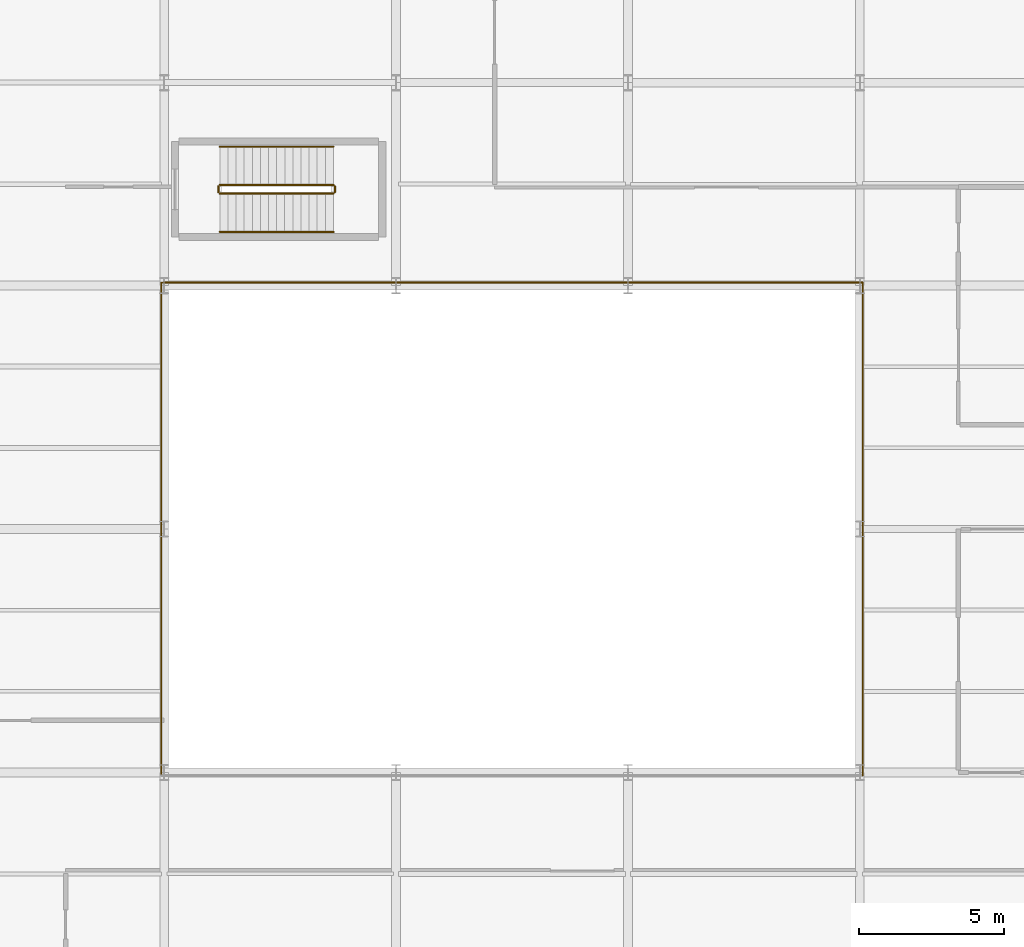
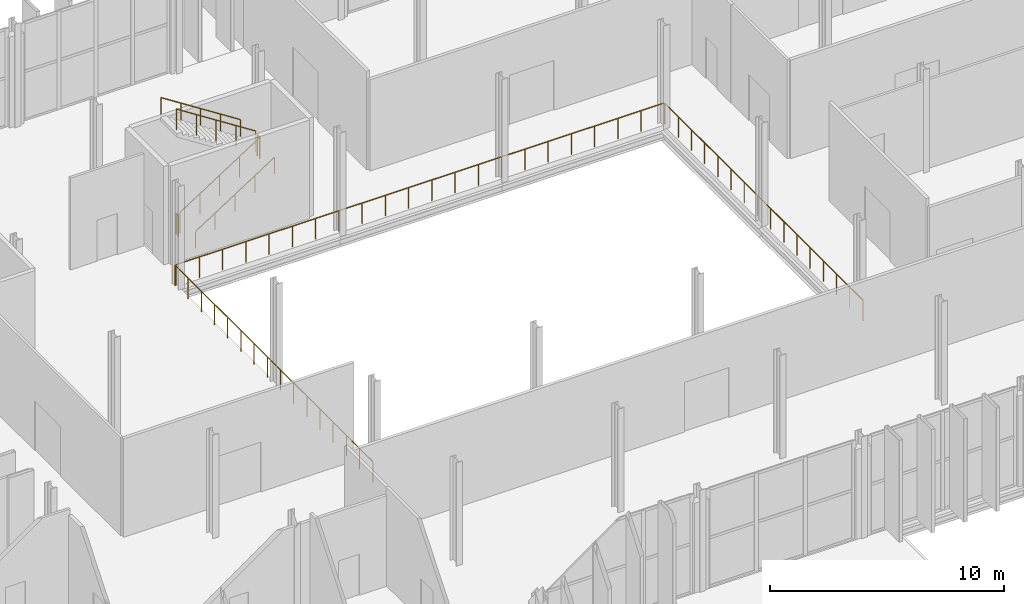
# One storey, part 140 of 147: 9 railings.
"""IFC4 building model written with IfcOpenShell, lengths in metres."""

from ifc_helpers import new_model, si_unit, direction, frame, origin, origin_2d, place, context, subcontext, project, spatial, circle, extrude, material, type_object, element, save


model = new_model("IFC4")

# Units and contexts
model_context = context("Model", 3, precision=1e-05, world=origin(), true_north=direction((0.0, 1.0)))
body_context = subcontext(model_context, "Body", "Model", "MODEL_VIEW")
ifc_project = project(units=[si_unit("LENGTHUNIT", "METRE"), si_unit("AREAUNIT", "SQUARE_METRE"), si_unit("VOLUMEUNIT", "CUBIC_METRE"), si_unit("PLANEANGLEUNIT", "RADIAN"), si_unit("MASSUNIT", "GRAM", prefix="KILO")], contexts=[model_context])

# Site, building, storey
site_placement = place(None, origin())
site = spatial("IfcSite", under=ifc_project, at=site_placement, CompositionType="ELEMENT")
building_placement = place(site_placement, origin())
building = spatial("IfcBuilding", under=site, at=building_placement, Name="Vekula Escarpment Museum", CompositionType="ELEMENT")
storey_placement = place(building_placement, frame((0.0, 0.0, 7.800048828125)))
storey = spatial("IfcBuildingStorey", under=building, at=storey_placement, Name="L02", CompositionType="ELEMENT", Elevation=7.800048828125)

# Railings
ifc_material_1 = material(Name="Bronze-coated Steel S355 balustrade", Category="steel")
railing_type_1 = type_object("IfcRailingType", Name="RL-ATR-BAL", PredefinedType="BALUSTRADE", material=ifc_material_1)
railing_1_placement = place(storey_placement, frame((110.10009765625, 59.5, 0.0)))
element("IfcRailing", 1, at=railing_1_placement, inside=storey, type_object=railing_type_1, Name="Central Atrium Balustrade L02 E", PredefinedType="BALUSTRADE", context=body_context, shape_type="SweptSolid", body=[
    extrude(circle(Radius=0.02392578125, at=origin_2d()), frame((0.0, 0.0, 1.076171875), z_axis=(0.0, 1.0, 0.0), x_axis=(-1.0, 0.0, 0.0)), (0.0, 0.0, 1.0), 16.93994140625),
    extrude(circle(Radius=0.02099609375, at=origin_2d()), origin(), (0.0, 0.0, 1.0), 1.052001953125),
    extrude(circle(Radius=0.02099609375, at=origin_2d()), frame((0.0, 1.12939453125, 0.0)), (0.0, 0.0, 1.0), 1.052001953125),
    extrude(circle(Radius=0.02099609375, at=origin_2d()), frame((0.0, 2.258544921875, 0.0)), (0.0, 0.0, 1.0), 1.052001953125),
    extrude(circle(Radius=0.02099609375, at=origin_2d()), frame((0.0, 3.387939453125, 0.0)), (0.0, 0.0, 1.0), 1.052001953125),
    extrude(circle(Radius=0.02099609375, at=origin_2d()), frame((0.0, 4.517333984375, 0.0)), (0.0, 0.0, 1.0), 1.052001953125),
    extrude(circle(Radius=0.02099609375, at=origin_2d()), frame((0.0, 5.646728515625, 0.0)), (0.0, 0.0, 1.0), 1.052001953125),
    extrude(circle(Radius=0.02099609375, at=origin_2d()), frame((0.0, 6.77587890625, 0.0)), (0.0, 0.0, 1.0), 1.052001953125),
    extrude(circle(Radius=0.02099609375, at=origin_2d()), frame((0.0, 7.9052734375, 0.0)), (0.0, 0.0, 1.0), 1.052001953125),
    extrude(circle(Radius=0.02099609375, at=origin_2d()), frame((0.0, 9.03466796875, 0.0)), (0.0, 0.0, 1.0), 1.052001953125),
    extrude(circle(Radius=0.02099609375, at=origin_2d()), frame((0.0, 10.1640625, 0.0)), (0.0, 0.0, 1.0), 1.052001953125),
    extrude(circle(Radius=0.02099609375, at=origin_2d()), frame((0.0, 11.293212890625, 0.0)), (0.0, 0.0, 1.0), 1.052001953125),
    extrude(circle(Radius=0.02099609375, at=origin_2d()), frame((0.0, 12.422607421875, 0.0)), (0.0, 0.0, 1.0), 1.052001953125),
    extrude(circle(Radius=0.02099609375, at=origin_2d()), frame((0.0, 13.552001953125, 0.0)), (0.0, 0.0, 1.0), 1.052001953125),
    extrude(circle(Radius=0.02099609375, at=origin_2d()), frame((0.0, 14.681396484375, 0.0)), (0.0, 0.0, 1.0), 1.052001953125),
    extrude(circle(Radius=0.02099609375, at=origin_2d()), frame((0.0, 15.810546875, 0.0)), (0.0, 0.0, 1.0), 1.052001953125),
    extrude(circle(Radius=0.02099609375, at=origin_2d()), frame((0.0, 16.93994140625, 0.0)), (0.0, 0.0, 1.0), 1.052001953125),
])
railing_2_placement = place(storey_placement, frame((110.10009765625, 76.5, 0.0)))
element("IfcRailing", 2, at=railing_2_placement, inside=storey, type_object=railing_type_1, Name="Central Atrium Balustrade L02 N", PredefinedType="BALUSTRADE", context=body_context, shape_type="SweptSolid", body=[
    extrude(circle(Radius=0.02392578125, at=origin_2d()), frame((0.0, 0.0, 1.076171875), z_axis=(-1.0, 0.0, 0.0), x_axis=(0.0, -1.0, 0.0)), (0.0, 0.0, 1.0), 24.14013671875),
    extrude(circle(Radius=0.02099609375, at=origin_2d()), origin(), (0.0, 0.0, 1.0), 1.052001953125),
    extrude(circle(Radius=0.02099609375, at=origin_2d()), frame((-1.1494140625, 0.0, 0.0)), (0.0, 0.0, 1.0), 1.052001953125),
    extrude(circle(Radius=0.02099609375, at=origin_2d()), frame((-2.299072265625, 0.0, 0.0)), (0.0, 0.0, 1.0), 1.052001953125),
    extrude(circle(Radius=0.02099609375, at=origin_2d()), frame((-3.448486328125, 0.0, 0.0)), (0.0, 0.0, 1.0), 1.052001953125),
    extrude(circle(Radius=0.02099609375, at=origin_2d()), frame((-4.59814453125, 0.0, 0.0)), (0.0, 0.0, 1.0), 1.052001953125),
    extrude(circle(Radius=0.02099609375, at=origin_2d()), frame((-5.74755859375, 0.0, 0.0)), (0.0, 0.0, 1.0), 1.052001953125),
    extrude(circle(Radius=0.02099609375, at=origin_2d()), frame((-6.897216796875, 0.0, 0.0)), (0.0, 0.0, 1.0), 1.052001953125),
    extrude(circle(Radius=0.02099609375, at=origin_2d()), frame((-8.046630859375, 0.0, 0.0)), (0.0, 0.0, 1.0), 1.052001953125),
    extrude(circle(Radius=0.02099609375, at=origin_2d()), frame((-9.1962890625, 0.0, 0.0)), (0.0, 0.0, 1.0), 1.052001953125),
    extrude(circle(Radius=0.02099609375, at=origin_2d()), frame((-10.345703125, 0.0, 0.0)), (0.0, 0.0, 1.0), 1.052001953125),
    extrude(circle(Radius=0.02099609375, at=origin_2d()), frame((-11.495361328125, 0.0, 0.0)), (0.0, 0.0, 1.0), 1.052001953125),
    extrude(circle(Radius=0.02099609375, at=origin_2d()), frame((-12.644775390625, 0.0, 0.0)), (0.0, 0.0, 1.0), 1.052001953125),
    extrude(circle(Radius=0.02099609375, at=origin_2d()), frame((-13.79443359375, 0.0, 0.0)), (0.0, 0.0, 1.0), 1.052001953125),
    extrude(circle(Radius=0.02099609375, at=origin_2d()), frame((-14.94384765625, 0.0, 0.0)), (0.0, 0.0, 1.0), 1.052001953125),
    extrude(circle(Radius=0.02099609375, at=origin_2d()), frame((-16.093505859375, 0.0, 0.0)), (0.0, 0.0, 1.0), 1.052001953125),
    extrude(circle(Radius=0.02099609375, at=origin_2d()), frame((-17.242919921875, 0.0, 0.0)), (0.0, 0.0, 1.0), 1.052001953125),
    extrude(circle(Radius=0.02099609375, at=origin_2d()), frame((-18.392578125, 0.0, 0.0)), (0.0, 0.0, 1.0), 1.052001953125),
    extrude(circle(Radius=0.02099609375, at=origin_2d()), frame((-19.5419921875, 0.0, 0.0)), (0.0, 0.0, 1.0), 1.052001953125),
    extrude(circle(Radius=0.02099609375, at=origin_2d()), frame((-20.691650390625, 0.0, 0.0)), (0.0, 0.0, 1.0), 1.052001953125),
    extrude(circle(Radius=0.02099609375, at=origin_2d()), frame((-21.841064453125, 0.0, 0.0)), (0.0, 0.0, 1.0), 1.052001953125),
    extrude(circle(Radius=0.02099609375, at=origin_2d()), frame((-22.99072265625, 0.0, 0.0)), (0.0, 0.0, 1.0), 1.052001953125),
    extrude(circle(Radius=0.02099609375, at=origin_2d()), frame((-24.14013671875, 0.0, 0.0)), (0.0, 0.0, 1.0), 1.052001953125),
])
railing_3_placement = place(storey_placement, frame((85.89990234375, 76.5, 0.0)))
element("IfcRailing", 3, at=railing_3_placement, inside=storey, type_object=railing_type_1, Name="Central Atrium Balustrade L02 W", PredefinedType="BALUSTRADE", context=body_context, shape_type="SweptSolid", body=[
    extrude(circle(Radius=0.02392578125, at=origin_2d()), frame((0.0, 0.0, 1.076171875), z_axis=(0.0, -1.0, 0.0), x_axis=(1.0, 0.0, 0.0)), (0.0, 0.0, 1.0), 16.93994140625),
    extrude(circle(Radius=0.02099609375, at=origin_2d()), origin(), (0.0, 0.0, 1.0), 1.052001953125),
    extrude(circle(Radius=0.02099609375, at=origin_2d()), frame((0.0, -1.12939453125, 0.0)), (0.0, 0.0, 1.0), 1.052001953125),
    extrude(circle(Radius=0.02099609375, at=origin_2d()), frame((0.0, -2.258544921875, 0.0)), (0.0, 0.0, 1.0), 1.052001953125),
    extrude(circle(Radius=0.02099609375, at=origin_2d()), frame((0.0, -3.387939453125, 0.0)), (0.0, 0.0, 1.0), 1.052001953125),
    extrude(circle(Radius=0.02099609375, at=origin_2d()), frame((0.0, -4.517333984375, 0.0)), (0.0, 0.0, 1.0), 1.052001953125),
    extrude(circle(Radius=0.02099609375, at=origin_2d()), frame((0.0, -5.646728515625, 0.0)), (0.0, 0.0, 1.0), 1.052001953125),
    extrude(circle(Radius=0.02099609375, at=origin_2d()), frame((0.0, -6.77587890625, 0.0)), (0.0, 0.0, 1.0), 1.052001953125),
    extrude(circle(Radius=0.02099609375, at=origin_2d()), frame((0.0, -7.9052734375, 0.0)), (0.0, 0.0, 1.0), 1.052001953125),
    extrude(circle(Radius=0.02099609375, at=origin_2d()), frame((0.0, -9.03466796875, 0.0)), (0.0, 0.0, 1.0), 1.052001953125),
    extrude(circle(Radius=0.02099609375, at=origin_2d()), frame((0.0, -10.1640625, 0.0)), (0.0, 0.0, 1.0), 1.052001953125),
    extrude(circle(Radius=0.02099609375, at=origin_2d()), frame((0.0, -11.293212890625, 0.0)), (0.0, 0.0, 1.0), 1.052001953125),
    extrude(circle(Radius=0.02099609375, at=origin_2d()), frame((0.0, -12.422607421875, 0.0)), (0.0, 0.0, 1.0), 1.052001953125),
    extrude(circle(Radius=0.02099609375, at=origin_2d()), frame((0.0, -13.552001953125, 0.0)), (0.0, 0.0, 1.0), 1.052001953125),
    extrude(circle(Radius=0.02099609375, at=origin_2d()), frame((0.0, -14.681396484375, 0.0)), (0.0, 0.0, 1.0), 1.052001953125),
    extrude(circle(Radius=0.02099609375, at=origin_2d()), frame((0.0, -15.810546875, 0.0)), (0.0, 0.0, 1.0), 1.052001953125),
    extrude(circle(Radius=0.02099609375, at=origin_2d()), frame((0.0, -16.93994140625, 0.0)), (0.0, 0.0, 1.0), 1.052001953125),
])
ifc_material_2 = material(Name="Painted Steel S355 stair guard", Category="steel")
railing_type_2 = type_object("IfcRailingType", Name="RL-STAIR-GUARD", PredefinedType="GUARDRAIL", material=ifc_material_2)
railing_4_placement = place(storey_placement, frame((87.919921875, 79.570068359375, 0.179931640625)))
element("IfcRailing", 4, at=railing_4_placement, inside=storey, type_object=railing_type_2, Name="L02 ST-09 stair guard 1", PredefinedType="GUARDRAIL", context=body_context, shape_type="SweptSolid", body=[
    extrude(circle(Radius=0.02392578125, at=origin_2d()), frame((0.0, 0.0, 1.076171875), z_axis=(0.841186985886, 0.0, 0.540744352514), x_axis=(0.0, 1.0, 0.0)), (0.0, 0.0, 1.0), 4.660400390625),
    extrude(circle(Radius=0.02099609375, at=origin_2d()), origin(), (0.0, 0.0, 1.0), 1.052001953125),
    extrude(circle(Radius=0.02099609375, at=origin_2d()), frame((0.97998046875, 0.0, 0.6298828125)), (0.0, 0.0, 1.0), 1.052001953125),
    extrude(circle(Radius=0.02099609375, at=origin_2d()), frame((1.9599609375, 0.0, 1.260009765625)), (0.0, 0.0, 1.0), 1.052001953125),
    extrude(circle(Radius=0.02099609375, at=origin_2d()), frame((2.940185546875, 0.0, 1.89013671875)), (0.0, 0.0, 1.0), 1.052001953125),
    extrude(circle(Radius=0.02099609375, at=origin_2d()), frame((3.920166015625, 0.0, 2.52001953125)), (0.0, 0.0, 1.0), 1.052001953125),
])
railing_5_placement = place(storey_placement, frame((91.889892578125, 79.6201171875, 2.699951171875)))
element("IfcRailing", 5, at=railing_5_placement, inside=storey, type_object=railing_type_2, Name="L02 ST-09 stair guard 2", PredefinedType="GUARDRAIL", context=body_context, shape_type="SweptSolid", body=[
    extrude(circle(Radius=0.02392578125, at=origin_2d()), frame((0.0, 0.0, 1.076171875), z_axis=(0.0, 1.0, 0.0), x_axis=(-1.0, 0.0, 0.0)), (0.0, 0.0, 1.0), 0.199951171875),
    extrude(circle(Radius=0.02099609375, at=origin_2d()), origin(), (0.0, 0.0, 1.0), 1.052001953125),
    extrude(circle(Radius=0.02099609375, at=origin_2d()), frame((0.0, 0.199951171875, 0.0)), (0.0, 0.0, 1.0), 1.052001953125),
])
railing_6_placement = place(storey_placement, frame((91.840087890625, 79.8701171875, 2.8798828125)))
element("IfcRailing", 6, at=railing_6_placement, inside=storey, type_object=railing_type_2, Name="L02 ST-09 stair guard 3", PredefinedType="GUARDRAIL", context=body_context, shape_type="SweptSolid", body=[
    extrude(circle(Radius=0.02392578125, at=origin_2d()), frame((0.0, 0.0, 1.076171875), z_axis=(-0.841186985886, 0.0, 0.540744352514), x_axis=(0.0, -1.0, 0.0)), (0.0, 0.0, 1.0), 4.660400390625),
    extrude(circle(Radius=0.02099609375, at=origin_2d()), origin(), (0.0, 0.0, 1.0), 1.052001953125),
    extrude(circle(Radius=0.02099609375, at=origin_2d()), frame((-0.97998046875, 0.0, 0.6298828125)), (0.0, 0.0, 1.0), 1.052001953125),
    extrude(circle(Radius=0.02099609375, at=origin_2d()), frame((-1.9599609375, 0.0, 1.260009765625)), (0.0, 0.0, 1.0), 1.052001953125),
    extrude(circle(Radius=0.02099609375, at=origin_2d()), frame((-2.940185546875, 0.0, 1.89013671875)), (0.0, 0.0, 1.0), 1.052001953125),
    extrude(circle(Radius=0.02099609375, at=origin_2d()), frame((-3.920166015625, 0.0, 2.52001953125)), (0.0, 0.0, 1.0), 1.052001953125),
])
railing_7_placement = place(storey_placement, frame((87.8701171875, 79.6201171875, 0.0)))
element("IfcRailing", 7, at=railing_7_placement, inside=storey, type_object=railing_type_2, Name="L02 ST-09 stair guard 4", PredefinedType="GUARDRAIL", context=body_context, shape_type="SweptSolid", body=[
    extrude(circle(Radius=0.02392578125, at=origin_2d()), frame((0.0, 0.0, 1.076171875), z_axis=(0.0, 1.0, 0.0), x_axis=(-1.0, 0.0, 0.0)), (0.0, 0.0, 1.0), 0.199951171875),
    extrude(circle(Radius=0.02099609375, at=origin_2d()), origin(), (0.0, 0.0, 1.0), 1.052001953125),
    extrude(circle(Radius=0.02099609375, at=origin_2d()), frame((0.0, 0.199951171875, 0.0)), (0.0, 0.0, 1.0), 1.052001953125),
])
ifc_material_3 = material(Name="Brushed stainless steel handrail", Category="steel")
railing_type_3 = type_object("IfcRailingType", Name="RL-STAIR-HAND", PredefinedType="HANDRAIL", material=ifc_material_3)
railing_8_placement = place(storey_placement, frame((87.919921875, 78.25, 0.179931640625)))
element("IfcRailing", 8, at=railing_8_placement, inside=storey, type_object=railing_type_3, Name="L02 ST-09 stair handrail 1", PredefinedType="HANDRAIL", context=body_context, shape_type="SweptSolid", body=[
    extrude(circle(Radius=0.02392578125, at=origin_2d()), frame((0.0, 0.0, 0.8759765625), z_axis=(0.841186985886, 0.0, 0.540744352514), x_axis=(0.0, 1.0, 0.0)), (0.0, 0.0, 1.0), 4.660400390625),
    extrude(circle(Radius=0.02099609375, at=origin_2d()), origin(), (0.0, 0.0, 1.0), 0.851806640625),
    extrude(circle(Radius=0.02099609375, at=origin_2d()), frame((0.97998046875, 0.0, 0.6298828125)), (0.0, 0.0, 1.0), 0.851806640625),
    extrude(circle(Radius=0.02099609375, at=origin_2d()), frame((1.9599609375, 0.0, 1.260009765625)), (0.0, 0.0, 1.0), 0.851806640625),
    extrude(circle(Radius=0.02099609375, at=origin_2d()), frame((2.940185546875, 0.0, 1.89013671875)), (0.0, 0.0, 1.0), 0.851806640625),
    extrude(circle(Radius=0.02099609375, at=origin_2d()), frame((3.920166015625, 0.0, 2.52001953125)), (0.0, 0.0, 1.0), 0.851806640625),
])
railing_9_placement = place(storey_placement, frame((91.840087890625, 81.18994140625, 2.8798828125)))
element("IfcRailing", 9, at=railing_9_placement, inside=storey, type_object=railing_type_3, Name="L02 ST-09 stair handrail 2", PredefinedType="HANDRAIL", context=body_context, shape_type="SweptSolid", body=[
    extrude(circle(Radius=0.02392578125, at=origin_2d()), frame((0.0, 0.0, 0.8759765625), z_axis=(-0.841186985886, 0.0, 0.540744352514), x_axis=(0.0, -1.0, 0.0)), (0.0, 0.0, 1.0), 4.660400390625),
    extrude(circle(Radius=0.02099609375, at=origin_2d()), origin(), (0.0, 0.0, 1.0), 0.851806640625),
    extrude(circle(Radius=0.02099609375, at=origin_2d()), frame((-0.97998046875, 0.0, 0.6298828125)), (0.0, 0.0, 1.0), 0.851806640625),
    extrude(circle(Radius=0.02099609375, at=origin_2d()), frame((-1.9599609375, 0.0, 1.260009765625)), (0.0, 0.0, 1.0), 0.851806640625),
    extrude(circle(Radius=0.02099609375, at=origin_2d()), frame((-2.940185546875, 0.0, 1.89013671875)), (0.0, 0.0, 1.0), 0.851806640625),
    extrude(circle(Radius=0.02099609375, at=origin_2d()), frame((-3.920166015625, 0.0, 2.52001953125)), (0.0, 0.0, 1.0), 0.851806640625),
])

save(model, "model.ifc")
